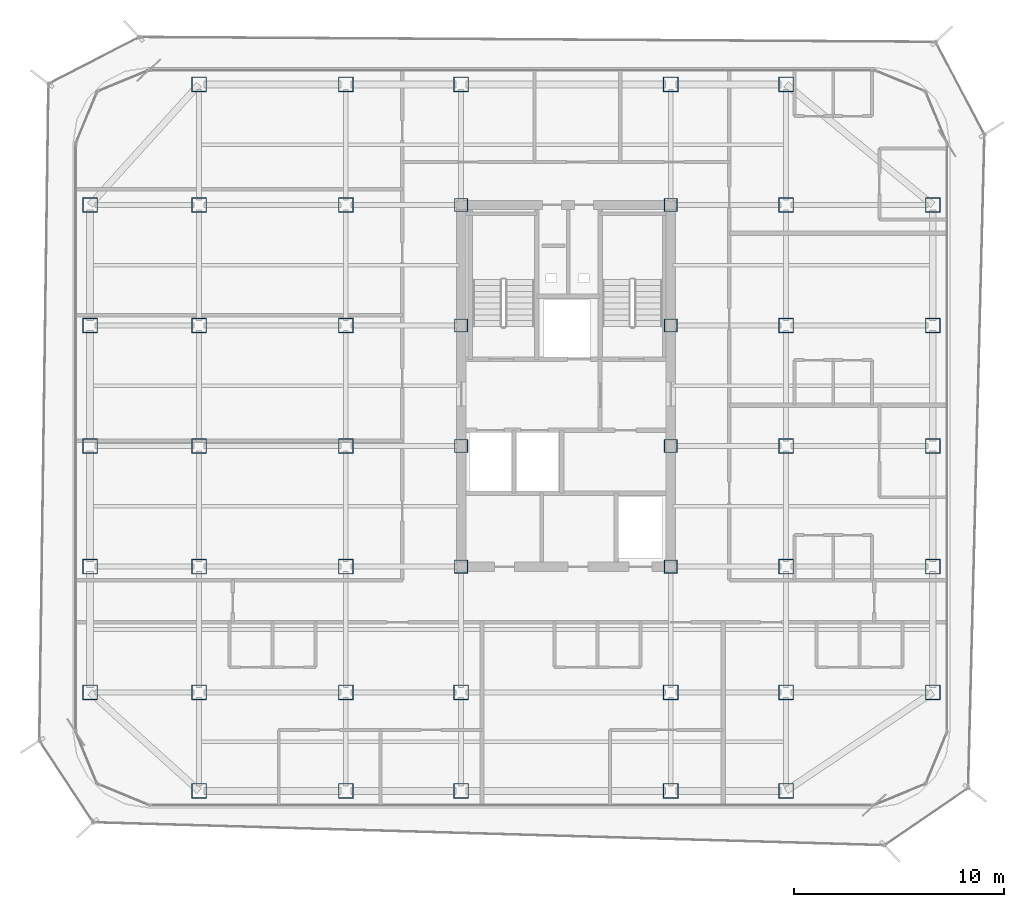
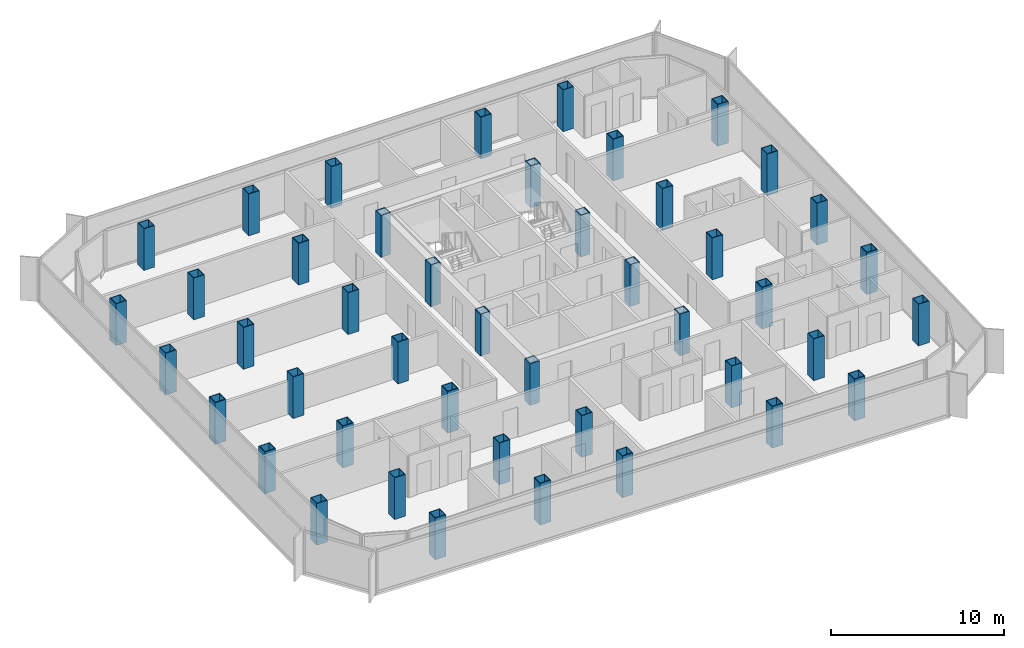
# One storey, part 1 of 15: 45 columns.
"""IFC4 building model written with IfcOpenShell, lengths in metres."""

import ifcopenshell
import ifcopenshell.guid

model = None  # the IFC model being written
_history = None  # IfcOwnerHistory: only IFC2X3 demands one
_inside = {}  # id of a spatial element -> (the spatial element, [elements in it])
_under = {}  # id of a project, library or spatial element -> (it, [spatial elements below it])
_declared = {}  # id of a project -> (the project, [libraries it declares])
_typed = {}  # id of a type object -> (the type object, [elements of that type])
_made_of = {}  # id of a material, layer set ... -> (it, [elements and type objects made of it])


def new_model(schema):
    """Start an empty IFC model of exactly this schema.

    Asked for "IFC4X3", IfcOpenShell would pick the latest addendum, in which some entities
    have other attributes; the version numbers below select the first issue.
    IFC2X3 requires an IfcOwnerHistory on every rooted entity: one is made here for all.
    """
    global model, _history
    if schema == "IFC4X3":
        model = ifcopenshell.file(schema_version=(4, 3, 0, 0))
    else:
        model = ifcopenshell.file(schema=schema)
    _inside.clear()
    _under.clear()
    _declared.clear()
    _typed.clear()
    _made_of.clear()
    _history = None
    if model.schema == "IFC2X3":
        org = make("IfcOrganization", Name="unknown")
        user = make(
            "IfcPersonAndOrganization",
            ThePerson=make("IfcPerson", FamilyName="unknown"),
            TheOrganization=org,
        )
        app = make(
            "IfcApplication",
            ApplicationDeveloper=org,
            Version="unknown",
            ApplicationFullName="unknown",
            ApplicationIdentifier="unknown",
        )
        _history = make(
            "IfcOwnerHistory",
            OwningUser=user,
            OwningApplication=app,
            ChangeAction="ADDED",
            CreationDate=0,
        )
    return model


def make(cls, **values):
    """One entity of the class cls with the attributes given. An attribute that is None is left unset."""
    return model.create_entity(
        cls, **{name: value for name, value in values.items() if value is not None}
    )


def rooted(cls, **values):
    """An entity with a GlobalId (a new one), such as an element, a storey or a relation."""
    return make(cls, GlobalId=ifcopenshell.guid.new(), OwnerHistory=_history, **values)


def si_unit(unit_type, name, prefix=None):
    """IfcSIUnit, for example si_unit("LENGTHUNIT", "METRE", prefix="MILLI")."""
    return make("IfcSIUnit", UnitType=unit_type, Prefix=prefix, Name=name)


def assignment(units):
    """IfcUnitAssignment: the units of a project."""
    return None if units is None else make("IfcUnitAssignment", Units=units)


def point(xyz):
    """IfcCartesianPoint."""
    return None if xyz is None else make("IfcCartesianPoint", Coordinates=xyz)


def direction(xyz):
    """IfcDirection."""
    return None if xyz is None else make("IfcDirection", DirectionRatios=xyz)


def frame(location, z_axis=None, x_axis=None):
    """IfcAxis2Placement3D, a coordinate frame: its origin and axes. An axis left out is left unset."""
    return make(
        "IfcAxis2Placement3D",
        Location=point(location),
        Axis=direction(z_axis),
        RefDirection=direction(x_axis),
    )


def frame_2d(location, x_axis=None):
    """IfcAxis2Placement2D, a coordinate frame in the plane: its origin and x axis."""
    return make(
        "IfcAxis2Placement2D", Location=point(location), RefDirection=direction(x_axis)
    )


def origin():
    """The frame at (0, 0, 0) with its axes left unset."""
    return frame((0.0, 0.0, 0.0))


def origin_2d():
    """The frame at (0, 0) in the plane with its x axis left unset."""
    return frame_2d((0.0, 0.0))


def place(relative_to, where):
    """IfcLocalPlacement: puts the frame where relative to a parent placement (None: the world)."""
    return make(
        "IfcLocalPlacement", PlacementRelTo=relative_to, RelativePlacement=where
    )


def context(
    kind, dimensions, precision=None, world=None, true_north=None, identifier=None
):
    """IfcGeometricRepresentationContext, for example the 3D "Model" context."""
    return make(
        "IfcGeometricRepresentationContext",
        ContextIdentifier=identifier,
        ContextType=kind,
        CoordinateSpaceDimension=dimensions,
        Precision=precision,
        WorldCoordinateSystem=world,
        TrueNorth=true_north,
    )


def subcontext(parent, identifier, kind, view, scale=None):
    """IfcGeometricRepresentationSubContext, for example "Body" below "Model"."""
    return make(
        "IfcGeometricRepresentationSubContext",
        ContextIdentifier=identifier,
        ContextType=kind,
        ParentContext=parent,
        TargetScale=scale,
        TargetView=view,
    )


def project(units=None, contexts=None):
    """IfcProject with its units and contexts."""
    return rooted(
        "IfcProject",
        Name="project",
        RepresentationContexts=contexts,
        UnitsInContext=assignment(units),
    )


def spatial(cls, under=None, at=None, **own):
    """A site, building, storey or space (cls), placed at a placement, below another one or the project."""
    s = rooted(cls, ObjectPlacement=at, **own)
    if under is not None:
        _under.setdefault(under.id(), (under, []))[1].append(s)
    return s


def profile(cls, at=None, kind="AREA", **sizes):
    """A parametric profile (cls). Its sizes go by their IFC names, for example OverallWidth=200.0."""
    return make(cls, ProfileType=kind, Position=at, **sizes)


def hollow_rectangle(**sizes):
    """IfcRectangleHollowProfileDef."""
    return profile("IfcRectangleHollowProfileDef", **sizes)


def extrude(swept, where, along, depth):
    """IfcExtrudedAreaSolid: the profile swept, set in the frame where, extruded along a direction by depth."""
    return make(
        "IfcExtrudedAreaSolid",
        SweptArea=swept,
        Position=where,
        ExtrudedDirection=direction(along),
        Depth=depth,
    )


def shape(context_of_items, identifier, shape_type, items):
    """IfcShapeRepresentation: the items that make up one representation, for example the "Body"."""
    return make(
        "IfcShapeRepresentation",
        ContextOfItems=context_of_items,
        RepresentationIdentifier=identifier,
        RepresentationType=shape_type,
        Items=items,
    )


def source(mapping_origin, context_of_items, identifier, shape_type, items):
    """IfcRepresentationMap: a shape defined once, which mapped items show again and again."""
    return make(
        "IfcRepresentationMap",
        MappingOrigin=mapping_origin,
        MappedRepresentation=shape(context_of_items, identifier, shape_type, items),
    )


def transform(
    local_origin,
    x_axis=None,
    y_axis=None,
    z_axis=None,
    scale=None,
    scale2=None,
    scale3=None,
    uniform=True,
):
    """IfcCartesianTransformationOperator3D, or its non-uniform kind. x_axis, y_axis, z_axis: its Axis1, 2, 3."""
    if uniform:
        return make(
            "IfcCartesianTransformationOperator3D",
            Axis1=direction(x_axis),
            Axis2=direction(y_axis),
            LocalOrigin=point(local_origin),
            Scale=scale,
            Axis3=direction(z_axis),
        )
    return make(
        "IfcCartesianTransformationOperator3DnonUniform",
        Axis1=direction(x_axis),
        Axis2=direction(y_axis),
        LocalOrigin=point(local_origin),
        Scale=scale,
        Axis3=direction(z_axis),
        Scale2=scale2,
        Scale3=scale3,
    )


def mapped(mapping_source, mapping_target):
    """IfcMappedItem: shows the shape of a source again, moved by a transform."""
    return make(
        "IfcMappedItem", MappingSource=mapping_source, MappingTarget=mapping_target
    )


def material(Name=None, Category=None):
    """IfcMaterial."""
    return make("IfcMaterial", Name=Name, Category=Category)


def material_profile(
    of_material, cross_section, Name=None, Category=None, Priority=None
):
    """IfcMaterialProfile: a cross section and its material."""
    return make(
        "IfcMaterialProfile",
        Name=Name,
        Material=of_material,
        Profile=cross_section,
        Priority=Priority,
        Category=Category,
    )


def profile_set(profiles, Name=None, composite=None):
    """IfcMaterialProfileSet."""
    return make(
        "IfcMaterialProfileSet",
        Name=Name,
        MaterialProfiles=profiles,
        CompositeProfile=composite,
    )


def made_of(thing, what):
    """Note that an element or type object is made of a material, layer set ...; save() writes the relation."""
    if what is not None:
        _made_of.setdefault(what.id(), (what, []))[1].append(thing)
    return thing


def type_object(cls, material=None, **own):
    """A type object (cls), such as IfcWallType, which elements share."""
    return made_of(rooted(cls, **own), material)


def element(
    cls,
    number,
    at=None,
    inside=None,
    cuts=None,
    type_object=None,
    material=None,
    context=None,
    identifier="Body",
    shape_type=None,
    held_by="IfcProductDefinitionShape",
    body=None,
    shapes=None,
    **own,
):
    """One element of the class cls, such as IfcWall. Its Tag is "e" and its number.

    at: its placement. inside: the storey or other place that contains it. cuts: it is an
    opening in that element (IfcRelVoidsElement). A single representation is given by context,
    identifier, shape_type and body (its items); several are given by shapes. held_by: the class
    of the entity that holds the representations. save() writes the other relations.
    """
    e = rooted(cls, Tag="e%d" % number, ObjectPlacement=at, **own)
    if body is not None:
        shapes = [shape(context, identifier, shape_type, body)]
    if shapes is not None:
        e.Representation = make(held_by, Representations=shapes)
    if inside is not None:
        _inside.setdefault(inside.id(), (inside, []))[1].append(e)
    if cuts is not None:
        rooted(
            "IfcRelVoidsElement", RelatingBuildingElement=cuts, RelatedOpeningElement=e
        )
    if type_object is not None:
        _typed.setdefault(type_object.id(), (type_object, []))[1].append(e)
    return made_of(e, material)


def aggregate(whole, parts):
    """IfcRelAggregates: a whole, such as a stair, and the parts it consists of."""
    return rooted("IfcRelAggregates", RelatingObject=whole, RelatedObjects=parts)


def save(model, path):
    """Write the relations noted so far, then the file.

    IfcRelAggregates (storeys below a building ...), IfcRelContainedInSpatialStructure (elements
    in a storey), IfcRelDefinesByType, IfcRelAssociatesMaterial and IfcRelDeclares: one each for
    every whole, place, type object, material and project.
    """
    for whole, parts in _under.values():
        aggregate(whole, parts)
    for where, things in _inside.values():
        rooted(
            "IfcRelContainedInSpatialStructure",
            RelatedElements=things,
            RelatingStructure=where,
        )
    for kind, things in _typed.values():
        rooted("IfcRelDefinesByType", RelatedObjects=things, RelatingType=kind)
    for what, things in _made_of.values():
        rooted("IfcRelAssociatesMaterial", RelatedObjects=things, RelatingMaterial=what)
    for by, libraries in _declared.values():
        rooted("IfcRelDeclares", RelatingContext=by, RelatedDefinitions=libraries)
    model.write(path)


model = new_model("IFC4")

# Units and contexts
model_context = context("Model", 3, precision=1e-05, world=origin(), true_north=direction((0.0, 1.0)))
body_context = subcontext(model_context, "Body", "Model", "MODEL_VIEW")
ifc_project = project(units=[si_unit("LENGTHUNIT", "METRE"), si_unit("AREAUNIT", "SQUARE_METRE"), si_unit("VOLUMEUNIT", "CUBIC_METRE"), si_unit("PLANEANGLEUNIT", "RADIAN"), si_unit("MASSUNIT", "GRAM", prefix="KILO")], contexts=[model_context])

# Site, building, storey
site_placement = place(None, origin())
site = spatial("IfcSite", under=ifc_project, at=site_placement, CompositionType="ELEMENT")
building_placement = place(site_placement, origin())
building = spatial("IfcBuilding", under=site, at=building_placement, Name="Kolveth Station Tower", CompositionType="ELEMENT")
storey_placement = place(building_placement, frame((0.0, 0.0, 202.800048828125)))
storey = spatial("IfcBuildingStorey", under=building, at=storey_placement, Name="L57", CompositionType="ELEMENT", Elevation=202.800048828125)

# Columns
ifc_material = material(Name="Steel S355", Category="steel")
ifc_material_profile_1 = material_profile(ifc_material, hollow_rectangle(XDim=0.719970703125, YDim=0.719970703125, WallThickness=0.0400390625, at=origin_2d()), Name="BOX720x720x40")
ifc_profile_set_1 = profile_set([ifc_material_profile_1], Name="Steel S355")
column_type_1 = type_object("IfcColumnType", Name="Col_C6", PredefinedType="COLUMN", material=ifc_profile_set_1)
shared_shape_1 = source(origin(), body_context, "Body", "SweptSolid", [
    extrude(hollow_rectangle(XDim=0.719970703125, YDim=0.719970703125, WallThickness=0.0400390625, at=origin_2d()), origin(), (0.0, 0.0, 1.0), 2.949951171875),
])
for number, where, z_axis, x_axis, name in (
    (1, (6.0, 0.800048828125, 0.0), (0.0, 0.0, 1.0), (1.0, 0.0, 0.0), "L57 Tower Column S-X60"),
    (2, (6.0, 34.5, 0.0), (0.0, 0.0, 1.0), (1.0, 0.0, 0.0), "L57 Tower Column N-X60"),
    (3, (13.0, 0.800048828125, 0.0), (0.0, 0.0, 1.0), (1.0, 0.0, 0.0), "L57 Tower Column S-X130"),
    (4, (13.0, 34.5, 0.0), (0.0, 0.0, 1.0), (1.0, 0.0, 0.0), "L57 Tower Column N-X130"),
    (5, (18.5, 0.800048828125, 0.0), (0.0, 0.0, 1.0), (1.0, 0.0, 0.0), "L57 Tower Column S-X185"),
    (6, (18.5, 34.5, 0.0), (0.0, 0.0, 1.0), (1.0, 0.0, 0.0), "L57 Tower Column N-X185"),
    (7, (28.5, 0.800048828125, 0.0), (0.0, 0.0, 1.0), (1.0, 0.0, 0.0), "L57 Tower Column S-X285"),
    (8, (28.5, 34.5, 0.0), (0.0, 0.0, 1.0), (1.0, 0.0, 0.0), "L57 Tower Column N-X285"),
    (9, (34.0, 0.800048828125, 0.0), (0.0, 0.0, 1.0), (1.0, 0.0, 0.0), "L57 Tower Column S-X340"),
    (10, (34.0, 34.5, 0.0), (0.0, 0.0, 1.0), (1.0, 0.0, 0.0), "L57 Tower Column N-X340"),
    (11, (0.800048828125, 5.5, 0.0), (0.0, 0.0, 1.0), (1.0, 0.0, 0.0), "L57 Tower Column W-Y55"),
    (12, (41.0, 5.5, 0.0), (0.0, 0.0, 1.0), (1.0, 0.0, 0.0), "L57 Tower Column E-Y55"),
    (13, (0.800048828125, 11.5, 0.0), (0.0, 0.0, 1.0), (1.0, 0.0, 0.0), "L57 Tower Column W-Y115"),
    (14, (41.0, 11.5, 0.0), (0.0, 0.0, 1.0), (1.0, 0.0, 0.0), "L57 Tower Column E-Y115"),
    (15, (0.800048828125, 17.25, 0.0), (0.0, 0.0, 1.0), (1.0, 0.0, 0.0), "L57 Tower Column W-Y172"),
    (16, (41.0, 17.25, 0.0), (0.0, 0.0, 1.0), (1.0, 0.0, 0.0), "L57 Tower Column E-Y172"),
    (17, (0.800048828125, 23.0, 0.0), (0.0, 0.0, 1.0), (1.0, 0.0, 0.0), "L57 Tower Column W-Y230"),
    (18, (41.0, 23.0, 0.0), (0.0, 0.0, 1.0), (1.0, 0.0, 0.0), "L57 Tower Column E-Y230"),
    (19, (0.800048828125, 28.75, 0.0), (0.0, 0.0, 1.0), (1.0, 0.0, 0.0), "L57 Tower Column W-Y287"),
    (20, (41.0, 28.75, 0.0), (0.0, 0.0, 1.0), (1.0, 0.0, 0.0), "L57 Tower Column E-Y287"),
    (21, (6.0, 5.5, 0.0), (0.0, 0.0, 1.0), (1.0, 0.0, 0.0), "L57 Tower Column G-60-55"),
    (22, (6.0, 11.5, 0.0), (0.0, 0.0, 1.0), (1.0, 0.0, 0.0), "L57 Tower Column G-60-115"),
    (23, (6.0, 17.25, 0.0), (0.0, 0.0, 1.0), (1.0, 0.0, 0.0), "L57 Tower Column G-60-172"),
    (24, (6.0, 23.0, 0.0), (0.0, 0.0, 1.0), (1.0, 0.0, 0.0), "L57 Tower Column G-60-230"),
    (25, (6.0, 28.75, 0.0), (0.0, 0.0, 1.0), (1.0, 0.0, 0.0), "L57 Tower Column G-60-287"),
    (26, (13.0, 5.5, 0.0), (0.0, 0.0, 1.0), (1.0, 0.0, 0.0), "L57 Tower Column G-130-55"),
    (27, (13.0, 11.5, 0.0), (0.0, 0.0, 1.0), (1.0, 0.0, 0.0), "L57 Tower Column G-130-115"),
    (28, (13.0, 17.25, 0.0), (0.0, 0.0, 1.0), (1.0, 0.0, 0.0), "L57 Tower Column G-130-172"),
    (29, (13.0, 23.0, 0.0), (0.0, 0.0, 1.0), (1.0, 0.0, 0.0), "L57 Tower Column G-130-230"),
    (30, (13.0, 28.75, 0.0), (0.0, 0.0, 1.0), (1.0, 0.0, 0.0), "L57 Tower Column G-130-287"),
    (31, (18.5, 5.5, 0.0), (0.0, 0.0, 1.0), (1.0, 0.0, 0.0), "L57 Tower Column G-185-55"),
    (32, (28.5, 5.5, 0.0), (0.0, 0.0, 1.0), (1.0, 0.0, 0.0), "L57 Tower Column G-285-55"),
    (33, (34.0, 5.5, 0.0), (0.0, 0.0, 1.0), (1.0, 0.0, 0.0), "L57 Tower Column G-340-55"),
    (34, (34.0, 11.5, 0.0), (0.0, 0.0, 1.0), (1.0, 0.0, 0.0), "L57 Tower Column G-340-115"),
    (35, (34.0, 17.25, 0.0), (0.0, 0.0, 1.0), (1.0, 0.0, 0.0), "L57 Tower Column G-340-172"),
    (36, (34.0, 23.0, 0.0), (0.0, 0.0, 1.0), (1.0, 0.0, 0.0), "L57 Tower Column G-340-230"),
    (37, (34.0, 28.75, 0.0), (0.0, 0.0, 1.0), (1.0, 0.0, 0.0), "L57 Tower Column G-340-287"),
):
    element("IfcColumn", number, at=place(storey_placement, frame(where, z_axis=z_axis, x_axis=x_axis)), inside=storey, type_object=column_type_1, Name=name, PredefinedType="COLUMN", context=body_context, shape_type="MappedRepresentation", body=[
        mapped(shared_shape_1, transform((0.0, 0.0, 0.0), x_axis=(1.0, 0.0, 0.0), y_axis=(0.0, 1.0, 0.0), z_axis=(0.0, 0.0, 1.0), scale=1.0)),
    ])
ifc_material_profile_2 = material_profile(ifc_material, hollow_rectangle(XDim=0.639892578125, YDim=0.639892578125, WallThickness=0.034912109375, at=origin_2d()), Name="BOX640x640x35")
ifc_profile_set_2 = profile_set([ifc_material_profile_2], Name="Steel S355")
column_type_2 = type_object("IfcColumnType", Name="Col_C7", PredefinedType="COLUMN", material=ifc_profile_set_2)
shared_shape_2 = source(origin(), body_context, "Body", "SweptSolid", [
    extrude(hollow_rectangle(XDim=0.639892578125, YDim=0.639892578125, WallThickness=0.034912109375, at=origin_2d()), origin(), (0.0, 0.0, 1.0), 2.949951171875),
])
for number, where, z_axis, x_axis, name in (
    (38, (18.5, 11.5, 0.0), (0.0, 0.0, 1.0), (1.0, 0.0, 0.0), "L57 Tower Column G-185-115"),
    (39, (18.5, 17.25, 0.0), (0.0, 0.0, 1.0), (1.0, 0.0, 0.0), "L57 Tower Column G-185-172"),
    (40, (18.5, 23.0, 0.0), (0.0, 0.0, 1.0), (1.0, 0.0, 0.0), "L57 Tower Column G-185-230"),
    (41, (18.5, 28.75, 0.0), (0.0, 0.0, 1.0), (1.0, 0.0, 0.0), "L57 Tower Column G-185-287"),
    (42, (28.5, 11.5, 0.0), (0.0, 0.0, 1.0), (1.0, 0.0, 0.0), "L57 Tower Column G-285-115"),
    (43, (28.5, 17.25, 0.0), (0.0, 0.0, 1.0), (1.0, 0.0, 0.0), "L57 Tower Column G-285-172"),
    (44, (28.5, 23.0, 0.0), (0.0, 0.0, 1.0), (1.0, 0.0, 0.0), "L57 Tower Column G-285-230"),
    (45, (28.5, 28.75, 0.0), (0.0, 0.0, 1.0), (1.0, 0.0, 0.0), "L57 Tower Column G-285-287"),
):
    element("IfcColumn", number, at=place(storey_placement, frame(where, z_axis=z_axis, x_axis=x_axis)), inside=storey, type_object=column_type_2, Name=name, PredefinedType="COLUMN", context=body_context, shape_type="MappedRepresentation", body=[
        mapped(shared_shape_2, transform((0.0, 0.0, 0.0), x_axis=(1.0, 0.0, 0.0), y_axis=(0.0, 1.0, 0.0), z_axis=(0.0, 0.0, 1.0), scale=1.0)),
    ])

save(model, "model.ifc")
